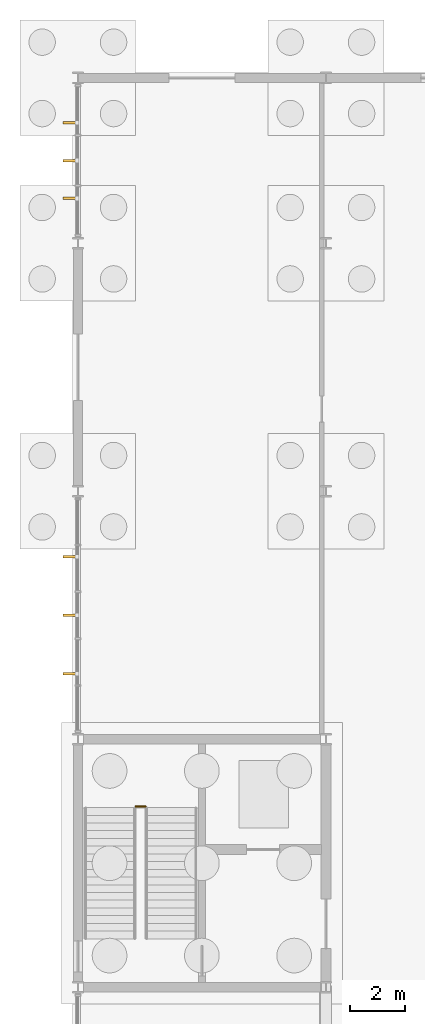
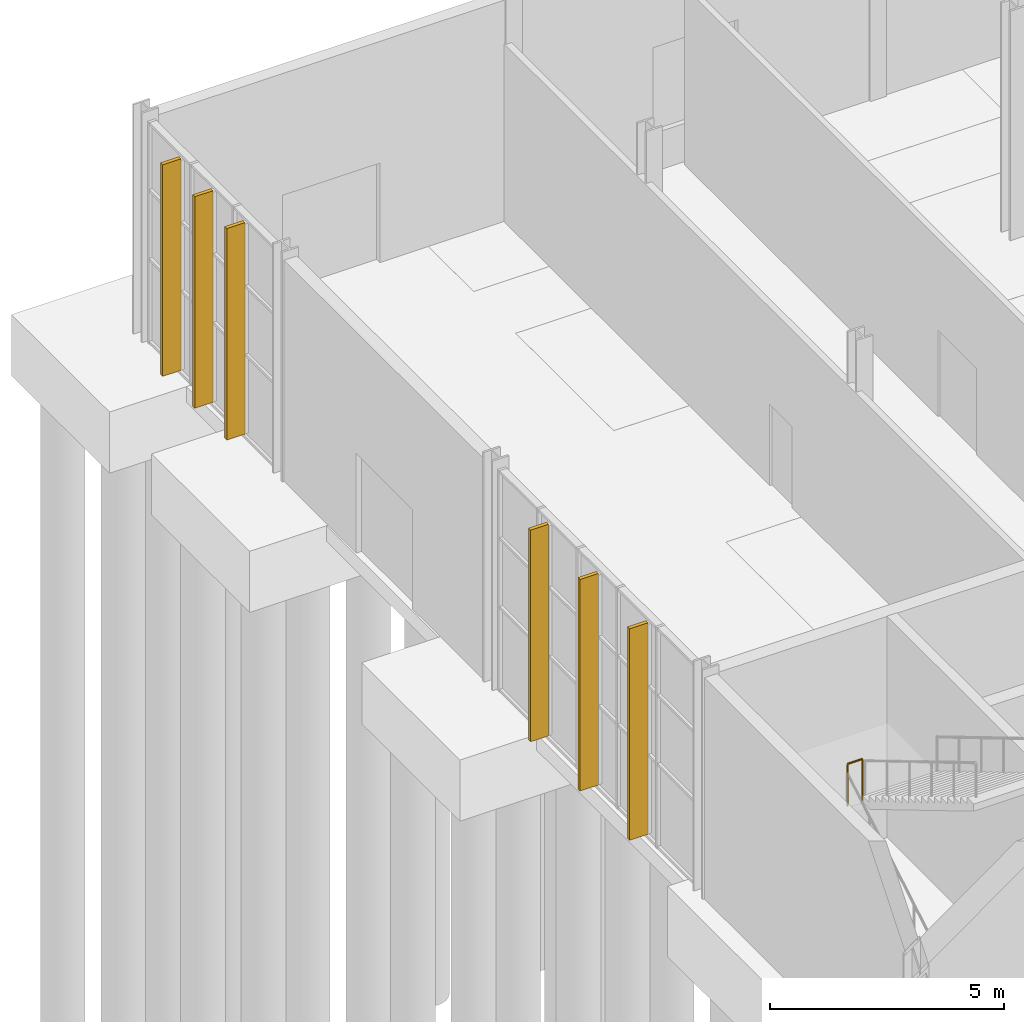
# One storey, part 123 of 131: 6 shading devices, 1 railing.
"""IFC4 building model written with IfcOpenShell, lengths in metres."""

from ifc_helpers import new_model, si_unit, direction, frame, origin, origin_2d, place, context, subcontext, project, spatial, rectangle, circle, extrude, material, type_object, element, save


model = new_model("IFC4")

# Units and contexts
model_context = context("Model", 3, precision=1e-05, world=origin(), true_north=direction((0.0, 1.0)))
body_context = subcontext(model_context, "Body", "Model", "MODEL_VIEW")
ifc_project = project(units=[si_unit("LENGTHUNIT", "METRE"), si_unit("AREAUNIT", "SQUARE_METRE"), si_unit("VOLUMEUNIT", "CUBIC_METRE"), si_unit("PLANEANGLEUNIT", "RADIAN"), si_unit("MASSUNIT", "GRAM", prefix="KILO")], contexts=[model_context])

# Site, building, storey
site_placement = place(None, origin())
site = spatial("IfcSite", under=ifc_project, at=site_placement, CompositionType="ELEMENT")
building_placement = place(site_placement, origin())
building = spatial("IfcBuilding", under=site, at=building_placement, Name="Cazmaro Siding Exhibition Halls", CompositionType="ELEMENT")
storey_placement = place(building_placement, origin())
storey = spatial("IfcBuildingStorey", under=building, at=storey_placement, Name="L00", CompositionType="ELEMENT", Elevation=0.0)

# Railing
ifc_material_1 = material(Name="Painted Steel Stairwell Guardrail", Category="steel")
railing_type = type_object("IfcRailingType", Name="RL-GRD-01", PredefinedType="GUARDRAIL", material=ifc_material_1)
railing_placement = place(storey_placement, frame((2.094970703125, 97.56005859375, 3.0)))
element("IfcRailing", 1, at=railing_placement, inside=storey, type_object=railing_type, Name="ST-18 Mid-Landing Slot Guard RL-GRD-01 RL-SG035", PredefinedType="GUARDRAIL", context=body_context, shape_type="SweptSolid", body=[
    extrude(circle(Radius=0.02392578125, at=origin_2d()), frame((0.0, 0.0, 1.09619140625), z_axis=(1.0, 0.0, 0.0), x_axis=(0.0, 1.0, 0.0)), (0.0, 0.0, 1.0), 0.364990234375),
    extrude(circle(Radius=0.02099609375, at=origin_2d()), origin(), (0.0, 0.0, 1.0), 1.072021484375),
    extrude(circle(Radius=0.02099609375, at=origin_2d()), frame((0.364990234375, 0.0, 0.0)), (0.0, 0.0, 1.0), 1.072021484375),
])

# Shading devices
ifc_material_2 = material(Name="Extruded Kiln-Fired Terracotta Sunshade Louver", Category="concrete")
shading_device_type = type_object("IfcShadingDeviceType", Name="SHD-TC-01", PredefinedType="USERDEFINED", material=ifc_material_2)
for number, where, z_axis, x_axis, name in (
    (2, (-0.31494140625, 102.3759765625, 0.125), (0.0, 0.0, 1.0), (1.0, 0.0, 0.0), "Extruded Terracotta Vertical Sunshade Fin SHD-01 007"),
    (3, (-0.31494140625, 104.5, 0.125), (0.0, 0.0, 1.0), (1.0, 0.0, 0.0), "Extruded Terracotta Vertical Sunshade Fin SHD-01 008"),
    (4, (-0.31494140625, 106.6240234375, 0.125), (0.0, 0.0, 1.0), (1.0, 0.0, 0.0), "Extruded Terracotta Vertical Sunshade Fin SHD-01 009"),
    (5, (-0.31494140625, 119.6259765625, 0.125), (0.0, 0.0, 1.0), (1.0, 0.0, 0.0), "Extruded Terracotta Vertical Sunshade Fin SHD-01 010"),
    (6, (-0.31494140625, 121.0, 0.125), (0.0, 0.0, 1.0), (1.0, 0.0, 0.0), "Extruded Terracotta Vertical Sunshade Fin SHD-01 011"),
    (7, (-0.31494140625, 122.3740234375, 0.125), (0.0, 0.0, 1.0), (1.0, 0.0, 0.0), "Extruded Terracotta Vertical Sunshade Fin SHD-01 012"),
):
    element("IfcShadingDevice", number, at=place(storey_placement, frame(where, z_axis=z_axis, x_axis=x_axis)), inside=storey, type_object=shading_device_type, Name=name, ObjectType="SUNSHADE", PredefinedType="USERDEFINED", context=body_context, shape_type="SweptSolid", body=[
        extrude(rectangle(XDim=0.449951171875, YDim=0.090087890625, at=origin_2d()), origin(), (0.0, 0.0, 1.0), 5.530029296875),
    ])

save(model, "model.ifc")
